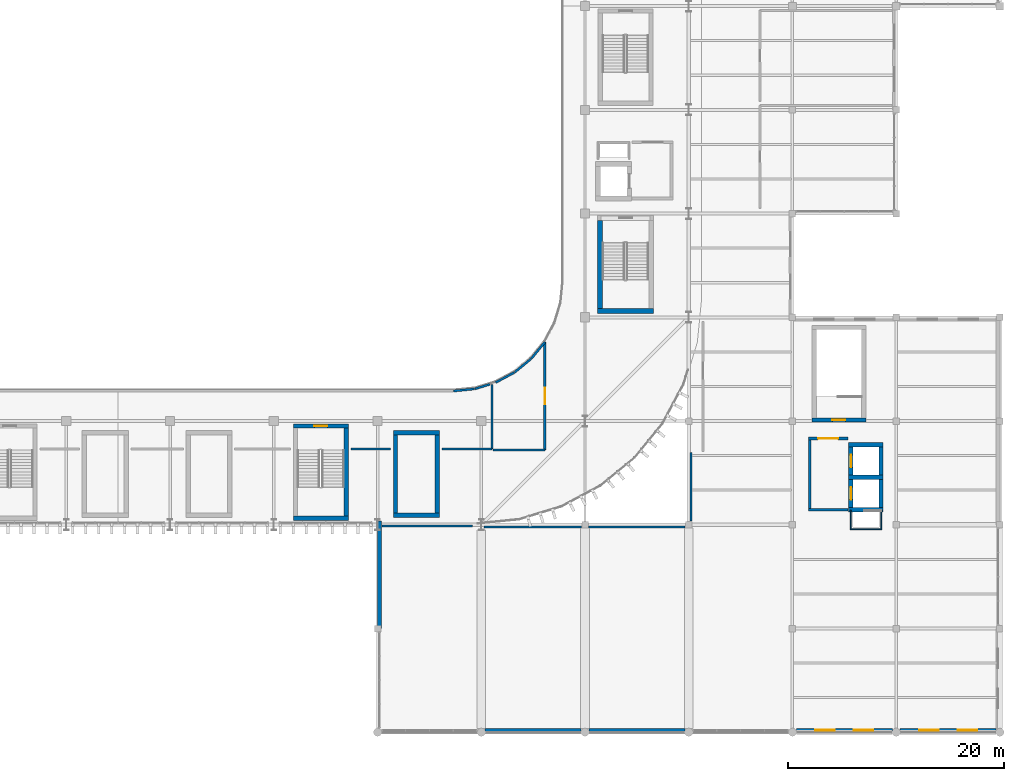
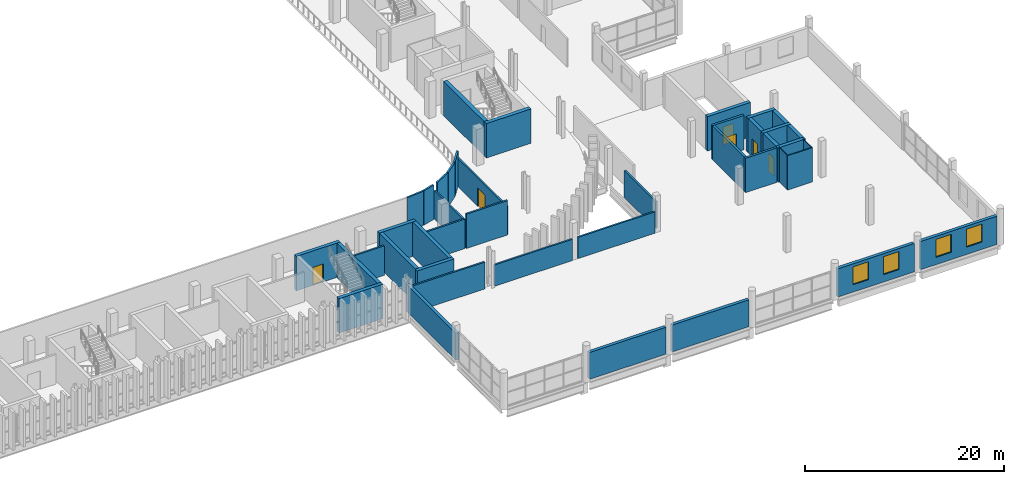
# One storey, part 60 of 92: 42 walls, 6 doors, 4 windows, 10 openings.
"""IFC4 building model written with IfcOpenShell, lengths in metres."""

import ifcopenshell
import ifcopenshell.guid

model = None  # the IFC model being written
_history = None  # IfcOwnerHistory: only IFC2X3 demands one
_inside = {}  # id of a spatial element -> (the spatial element, [elements in it])
_under = {}  # id of a project, library or spatial element -> (it, [spatial elements below it])
_declared = {}  # id of a project -> (the project, [libraries it declares])
_typed = {}  # id of a type object -> (the type object, [elements of that type])
_made_of = {}  # id of a material, layer set ... -> (it, [elements and type objects made of it])


def new_model(schema):
    """Start an empty IFC model of exactly this schema.

    Asked for "IFC4X3", IfcOpenShell would pick the latest addendum, in which some entities
    have other attributes; the version numbers below select the first issue.
    IFC2X3 requires an IfcOwnerHistory on every rooted entity: one is made here for all.
    """
    global model, _history
    if schema == "IFC4X3":
        model = ifcopenshell.file(schema_version=(4, 3, 0, 0))
    else:
        model = ifcopenshell.file(schema=schema)
    _inside.clear()
    _under.clear()
    _declared.clear()
    _typed.clear()
    _made_of.clear()
    _history = None
    if model.schema == "IFC2X3":
        org = make("IfcOrganization", Name="unknown")
        user = make(
            "IfcPersonAndOrganization",
            ThePerson=make("IfcPerson", FamilyName="unknown"),
            TheOrganization=org,
        )
        app = make(
            "IfcApplication",
            ApplicationDeveloper=org,
            Version="unknown",
            ApplicationFullName="unknown",
            ApplicationIdentifier="unknown",
        )
        _history = make(
            "IfcOwnerHistory",
            OwningUser=user,
            OwningApplication=app,
            ChangeAction="ADDED",
            CreationDate=0,
        )
    return model


def make(cls, **values):
    """One entity of the class cls with the attributes given. An attribute that is None is left unset."""
    return model.create_entity(
        cls, **{name: value for name, value in values.items() if value is not None}
    )


def rooted(cls, **values):
    """An entity with a GlobalId (a new one), such as an element, a storey or a relation."""
    return make(cls, GlobalId=ifcopenshell.guid.new(), OwnerHistory=_history, **values)


def si_unit(unit_type, name, prefix=None):
    """IfcSIUnit, for example si_unit("LENGTHUNIT", "METRE", prefix="MILLI")."""
    return make("IfcSIUnit", UnitType=unit_type, Prefix=prefix, Name=name)


def assignment(units):
    """IfcUnitAssignment: the units of a project."""
    return None if units is None else make("IfcUnitAssignment", Units=units)


def point(xyz):
    """IfcCartesianPoint."""
    return None if xyz is None else make("IfcCartesianPoint", Coordinates=xyz)


def direction(xyz):
    """IfcDirection."""
    return None if xyz is None else make("IfcDirection", DirectionRatios=xyz)


def frame(location, z_axis=None, x_axis=None):
    """IfcAxis2Placement3D, a coordinate frame: its origin and axes. An axis left out is left unset."""
    return make(
        "IfcAxis2Placement3D",
        Location=point(location),
        Axis=direction(z_axis),
        RefDirection=direction(x_axis),
    )


def frame_2d(location, x_axis=None):
    """IfcAxis2Placement2D, a coordinate frame in the plane: its origin and x axis."""
    return make(
        "IfcAxis2Placement2D", Location=point(location), RefDirection=direction(x_axis)
    )


def origin():
    """The frame at (0, 0, 0) with its axes left unset."""
    return frame((0.0, 0.0, 0.0))


def place(relative_to, where):
    """IfcLocalPlacement: puts the frame where relative to a parent placement (None: the world)."""
    return make(
        "IfcLocalPlacement", PlacementRelTo=relative_to, RelativePlacement=where
    )


def context(
    kind, dimensions, precision=None, world=None, true_north=None, identifier=None
):
    """IfcGeometricRepresentationContext, for example the 3D "Model" context."""
    return make(
        "IfcGeometricRepresentationContext",
        ContextIdentifier=identifier,
        ContextType=kind,
        CoordinateSpaceDimension=dimensions,
        Precision=precision,
        WorldCoordinateSystem=world,
        TrueNorth=true_north,
    )


def subcontext(parent, identifier, kind, view, scale=None):
    """IfcGeometricRepresentationSubContext, for example "Body" below "Model"."""
    return make(
        "IfcGeometricRepresentationSubContext",
        ContextIdentifier=identifier,
        ContextType=kind,
        ParentContext=parent,
        TargetScale=scale,
        TargetView=view,
    )


def project(units=None, contexts=None):
    """IfcProject with its units and contexts."""
    return rooted(
        "IfcProject",
        Name="project",
        RepresentationContexts=contexts,
        UnitsInContext=assignment(units),
    )


def spatial(cls, under=None, at=None, **own):
    """A site, building, storey or space (cls), placed at a placement, below another one or the project."""
    s = rooted(cls, ObjectPlacement=at, **own)
    if under is not None:
        _under.setdefault(under.id(), (under, []))[1].append(s)
    return s


def profile(cls, at=None, kind="AREA", **sizes):
    """A parametric profile (cls). Its sizes go by their IFC names, for example OverallWidth=200.0."""
    return make(cls, ProfileType=kind, Position=at, **sizes)


def rectangle(**sizes):
    """IfcRectangleProfileDef."""
    return profile("IfcRectangleProfileDef", **sizes)


def extrude(swept, where, along, depth):
    """IfcExtrudedAreaSolid: the profile swept, set in the frame where, extruded along a direction by depth."""
    return make(
        "IfcExtrudedAreaSolid",
        SweptArea=swept,
        Position=where,
        ExtrudedDirection=direction(along),
        Depth=depth,
    )


def shape(context_of_items, identifier, shape_type, items):
    """IfcShapeRepresentation: the items that make up one representation, for example the "Body"."""
    return make(
        "IfcShapeRepresentation",
        ContextOfItems=context_of_items,
        RepresentationIdentifier=identifier,
        RepresentationType=shape_type,
        Items=items,
    )


def material(Name=None, Category=None):
    """IfcMaterial."""
    return make("IfcMaterial", Name=Name, Category=Category)


def layer(
    of_material, thickness, ventilated=None, Name=None, Category=None, Priority=None
):
    """IfcMaterialLayer: one layer of a wall or slab, of a material (None: an air gap)."""
    return make(
        "IfcMaterialLayer",
        Material=of_material,
        LayerThickness=thickness,
        IsVentilated=ventilated,
        Name=Name,
        Category=Category,
        Priority=Priority,
    )


def layer_set(layers, Name=None):
    """IfcMaterialLayerSet."""
    return make("IfcMaterialLayerSet", MaterialLayers=layers, LayerSetName=Name)


def made_of(thing, what):
    """Note that an element or type object is made of a material, layer set ...; save() writes the relation."""
    if what is not None:
        _made_of.setdefault(what.id(), (what, []))[1].append(thing)
    return thing


def type_object(cls, material=None, **own):
    """A type object (cls), such as IfcWallType, which elements share."""
    return made_of(rooted(cls, **own), material)


def element(
    cls,
    number,
    at=None,
    inside=None,
    cuts=None,
    type_object=None,
    material=None,
    context=None,
    identifier="Body",
    shape_type=None,
    held_by="IfcProductDefinitionShape",
    body=None,
    shapes=None,
    **own,
):
    """One element of the class cls, such as IfcWall. Its Tag is "e" and its number.

    at: its placement. inside: the storey or other place that contains it. cuts: it is an
    opening in that element (IfcRelVoidsElement). A single representation is given by context,
    identifier, shape_type and body (its items); several are given by shapes. held_by: the class
    of the entity that holds the representations. save() writes the other relations.
    """
    e = rooted(cls, Tag="e%d" % number, ObjectPlacement=at, **own)
    if body is not None:
        shapes = [shape(context, identifier, shape_type, body)]
    if shapes is not None:
        e.Representation = make(held_by, Representations=shapes)
    if inside is not None:
        _inside.setdefault(inside.id(), (inside, []))[1].append(e)
    if cuts is not None:
        rooted(
            "IfcRelVoidsElement", RelatingBuildingElement=cuts, RelatedOpeningElement=e
        )
    if type_object is not None:
        _typed.setdefault(type_object.id(), (type_object, []))[1].append(e)
    return made_of(e, material)


def fill(opening, filler):
    """IfcRelFillsElement: the door or window that sits in an opening."""
    return rooted(
        "IfcRelFillsElement",
        RelatingOpeningElement=opening,
        RelatedBuildingElement=filler,
    )


def aggregate(whole, parts):
    """IfcRelAggregates: a whole, such as a stair, and the parts it consists of."""
    return rooted("IfcRelAggregates", RelatingObject=whole, RelatedObjects=parts)


def save(model, path):
    """Write the relations noted so far, then the file.

    IfcRelAggregates (storeys below a building ...), IfcRelContainedInSpatialStructure (elements
    in a storey), IfcRelDefinesByType, IfcRelAssociatesMaterial and IfcRelDeclares: one each for
    every whole, place, type object, material and project.
    """
    for whole, parts in _under.values():
        aggregate(whole, parts)
    for where, things in _inside.values():
        rooted(
            "IfcRelContainedInSpatialStructure",
            RelatedElements=things,
            RelatingStructure=where,
        )
    for kind, things in _typed.values():
        rooted("IfcRelDefinesByType", RelatedObjects=things, RelatingType=kind)
    for what, things in _made_of.values():
        rooted("IfcRelAssociatesMaterial", RelatedObjects=things, RelatingMaterial=what)
    for by, libraries in _declared.values():
        rooted("IfcRelDeclares", RelatingContext=by, RelatedDefinitions=libraries)
    model.write(path)


model = new_model("IFC4")

# Units and contexts
model_context = context("Model", 3, precision=1e-05, world=origin(), true_north=direction((0.0, 1.0)))
body_context = subcontext(model_context, "Body", "Model", "MODEL_VIEW")
ifc_project = project(units=[si_unit("LENGTHUNIT", "METRE"), si_unit("AREAUNIT", "SQUARE_METRE"), si_unit("VOLUMEUNIT", "CUBIC_METRE"), si_unit("PLANEANGLEUNIT", "RADIAN"), si_unit("MASSUNIT", "GRAM", prefix="KILO")], contexts=[model_context])

# Site, building, storey
site_placement = place(None, origin())
site = spatial("IfcSite", under=ifc_project, at=site_placement, CompositionType="ELEMENT")
building_placement = place(site_placement, origin())
building = spatial("IfcBuilding", under=site, at=building_placement, Name="Caelomonte Colonnade Arena", CompositionType="ELEMENT")
storey_placement = place(building_placement, frame((0.0, 0.0, 9.60009765625)))
storey = spatial("IfcBuildingStorey", under=building, at=storey_placement, Name="L02", CompositionType="ELEMENT", Elevation=9.60009765625)

# Walls
ifc_material_1 = material(Name="Precast concrete C40/50", Category="concrete")
ifc_layer_1 = layer(ifc_material_1, 0.360107421875)
ifc_layer_set_1 = layer_set([ifc_layer_1], Name="Precast concrete C40/50")
wall_type_1 = type_object("IfcWallType", Name="ENV-WL-EXT36", PredefinedType="SOLIDWALL", material=ifc_layer_set_1)
wall_1_placement = place(storey_placement, frame((134.580078125, 19.550048828125, 0.0), z_axis=(0.0, 0.0, 1.0), x_axis=(0.0, -1.0, 0.0)))
element("IfcWall", 1, at=wall_1_placement, inside=storey, type_object=wall_type_1, Name="L02 exterior wall EW-L02-0240", PredefinedType="SOLIDWALL", context=body_context, shape_type="SweptSolid", body=[
    extrude(rectangle(XDim=9.949951171875, YDim=0.360107421875, at=frame_2d((4.97509765625, 0.0))), origin(), (0.0, 0.0, 1.0), 3.29296875),
])
wall_2_placement = place(storey_placement, frame((144.35498046875, 0.179931640625, 0.0), z_axis=(0.0, 0.0, 1.0), x_axis=(1.0, 0.0, 0.0)))
element("IfcWall", 2, at=wall_2_placement, inside=storey, type_object=wall_type_1, Name="L02 exterior wall EW-L02-0241", PredefinedType="SOLIDWALL", context=body_context, shape_type="SweptSolid", body=[
    extrude(rectangle(XDim=8.89013671875, YDim=0.360107421875, at=frame_2d((4.445068359375, 0.0))), origin(), (0.0, 0.0, 1.0), 3.29296875),
])
wall_3_placement = place(storey_placement, frame((153.955078125, 0.179931640625, 0.0), z_axis=(0.0, 0.0, 1.0), x_axis=(1.0, 0.0, 0.0)))
element("IfcWall", 3, at=wall_3_placement, inside=storey, type_object=wall_type_1, Name="L02 exterior wall EW-L02-0242", PredefinedType="SOLIDWALL", context=body_context, shape_type="SweptSolid", body=[
    extrude(rectangle(XDim=8.889892578125, YDim=0.360107421875, at=frame_2d((4.44482421875, 0.0))), origin(), (0.0, 0.0, 1.0), 3.29296875),
])

# Wall, openings, windows
wall_4_placement = place(storey_placement, frame((173.155029296875, 0.179931640625, 0.0), z_axis=(0.0, 0.0, 1.0), x_axis=(1.0, 0.0, 0.0)))
wall_4 = element("IfcWall", 4, at=wall_4_placement, inside=storey, type_object=wall_type_1, Name="L02 exterior wall EW-L02-0243", PredefinedType="SOLIDWALL", context=body_context, shape_type="SweptSolid", body=[
    extrude(rectangle(XDim=8.889892578125, YDim=0.360107421875, at=frame_2d((4.44482421875, 0.0))), origin(), (0.0, 0.0, 1.0), 3.469970703125),
])
opening_1_placement = place(wall_4_placement, frame((3.563232421875, 0.0, 0.89990234375), z_axis=(0.0, 0.0, 1.0), x_axis=(-1.0, 0.0, 0.0)))
opening_1 = element("IfcOpeningElement", 5, at=opening_1_placement, cuts=wall_4, Name="Opening WN-03", PredefinedType="OPENING", context=body_context, shape_type="SweptSolid", body=[
    extrude(rectangle(XDim=1.800048828125, YDim=2.199951171875, at=frame_2d((0.89990234375, 1.10009765625))), frame((0.0, 0.18994140625, 0.0), z_axis=(0.0, -1.0, 0.0), x_axis=(1.0, 0.0, 0.0)), (0.0, 0.0, 1.0), 0.380126953125),
])
opening_2_placement = place(wall_4_placement, frame((7.126708984375, 0.0, 0.89990234375), z_axis=(0.0, 0.0, 1.0), x_axis=(-1.0, 0.0, 0.0)))
opening_2 = element("IfcOpeningElement", 6, at=opening_2_placement, cuts=wall_4, Name="Opening WN-03", PredefinedType="OPENING", context=body_context, shape_type="SweptSolid", body=[
    extrude(rectangle(XDim=1.800048828125, YDim=2.199951171875, at=frame_2d((0.89990234375, 1.10009765625))), frame((0.0, 0.18994140625, 0.0), z_axis=(0.0, -1.0, 0.0), x_axis=(1.0, 0.0, 0.0)), (0.0, 0.0, 1.0), 0.380126953125),
])
ifc_material_2 = material(Name="Solar-control bronze low-E double glazing", Category="glass")
window_type = type_object("IfcWindowType", Name="ENV-WN-V3C", PartitioningType="DOUBLE_PANEL_VERTICAL", PredefinedType="WINDOW", material=ifc_material_2)
window_1_placement = place(opening_1_placement, origin())
window_1 = element("IfcWindow", 7, at=window_1_placement, inside=storey, type_object=window_type, Name="L02 facade window 156", OverallHeight=2.199951171875, OverallWidth=1.800048828125, PartitioningType="SINGLE_PANEL", PredefinedType="WINDOW", context=body_context, shape_type="SweptSolid", body=[
    extrude(rectangle(XDim=1.800048828125, YDim=2.199951171875, at=frame_2d((0.89990234375, 1.10009765625))), frame((0.0, 0.030029296875, 0.0), z_axis=(0.0, -1.0, 0.0), x_axis=(1.0, 0.0, 0.0)), (0.0, 0.0, 1.0), 0.06005859375),
])
fill(opening_1, window_1)
window_2_placement = place(opening_2_placement, origin())
window_2 = element("IfcWindow", 8, at=window_2_placement, inside=storey, type_object=window_type, Name="L02 facade window 157", OverallHeight=2.199951171875, OverallWidth=1.800048828125, PartitioningType="SINGLE_PANEL", PredefinedType="WINDOW", context=body_context, shape_type="SweptSolid", body=[
    extrude(rectangle(XDim=1.800048828125, YDim=2.199951171875, at=frame_2d((0.89990234375, 1.10009765625))), frame((0.0, 0.030029296875, 0.0), z_axis=(0.0, -1.0, 0.0), x_axis=(1.0, 0.0, 0.0)), (0.0, 0.0, 1.0), 0.06005859375),
])
fill(opening_2, window_2)

wall_5_placement = place(storey_placement, frame((182.7548828125, 0.179931640625, 0.0), z_axis=(0.0, 0.0, 1.0), x_axis=(1.0, 0.0, 0.0)))
wall_5 = element("IfcWall", 9, at=wall_5_placement, inside=storey, type_object=wall_type_1, Name="L02 exterior wall EW-L02-0244", PredefinedType="SOLIDWALL", context=body_context, shape_type="SweptSolid", body=[
    extrude(rectangle(XDim=8.89013671875, YDim=0.360107421875, at=frame_2d((4.445068359375, 0.0))), origin(), (0.0, 0.0, 1.0), 3.469970703125),
])
opening_3_placement = place(wall_5_placement, frame((3.563232421875, 0.0, 0.89990234375), z_axis=(0.0, 0.0, 1.0), x_axis=(-1.0, 0.0, 0.0)))
opening_3 = element("IfcOpeningElement", 10, at=opening_3_placement, cuts=wall_5, Name="Opening WN-03", PredefinedType="OPENING", context=body_context, shape_type="SweptSolid", body=[
    extrude(rectangle(XDim=1.800048828125, YDim=2.199951171875, at=frame_2d((0.89990234375, 1.10009765625))), frame((0.0, 0.18994140625, 0.0), z_axis=(0.0, -1.0, 0.0), x_axis=(1.0, 0.0, 0.0)), (0.0, 0.0, 1.0), 0.380126953125),
])
opening_4_placement = place(wall_5_placement, frame((7.126708984375, 0.0, 0.89990234375), z_axis=(0.0, 0.0, 1.0), x_axis=(-1.0, 0.0, 0.0)))
opening_4 = element("IfcOpeningElement", 11, at=opening_4_placement, cuts=wall_5, Name="Opening WN-03", PredefinedType="OPENING", context=body_context, shape_type="SweptSolid", body=[
    extrude(rectangle(XDim=1.800048828125, YDim=2.199951171875, at=frame_2d((0.89990234375, 1.10009765625))), frame((0.0, 0.18994140625, 0.0), z_axis=(0.0, -1.0, 0.0), x_axis=(1.0, 0.0, 0.0)), (0.0, 0.0, 1.0), 0.380126953125),
])
window_3_placement = place(opening_3_placement, origin())
window_3 = element("IfcWindow", 12, at=window_3_placement, inside=storey, type_object=window_type, Name="L02 facade window 158", OverallHeight=2.199951171875, OverallWidth=1.800048828125, PartitioningType="SINGLE_PANEL", PredefinedType="WINDOW", context=body_context, shape_type="SweptSolid", body=[
    extrude(rectangle(XDim=1.800048828125, YDim=2.199951171875, at=frame_2d((0.89990234375, 1.10009765625))), frame((0.0, 0.030029296875, 0.0), z_axis=(0.0, -1.0, 0.0), x_axis=(1.0, 0.0, 0.0)), (0.0, 0.0, 1.0), 0.06005859375),
])
fill(opening_3, window_3)
window_4_placement = place(opening_4_placement, origin())
window_4 = element("IfcWindow", 13, at=window_4_placement, inside=storey, type_object=window_type, Name="L02 facade window 159", OverallHeight=2.199951171875, OverallWidth=1.800048828125, PartitioningType="SINGLE_PANEL", PredefinedType="WINDOW", context=body_context, shape_type="SweptSolid", body=[
    extrude(rectangle(XDim=1.800048828125, YDim=2.199951171875, at=frame_2d((0.89990234375, 1.10009765625))), frame((0.0, 0.030029296875, 0.0), z_axis=(0.0, -1.0, 0.0), x_axis=(1.0, 0.0, 0.0)), (0.0, 0.0, 1.0), 0.06005859375),
])
fill(opening_4, window_4)

# Wall
ifc_material_3 = material(Name="Concrete C40/50", Category="concrete")
ifc_layer_2 = layer(ifc_material_3, 0.260009765625)
ifc_layer_set_2 = layer_set([ifc_layer_2], Name="Concrete C40/50")
wall_type_2 = type_object("IfcWallType", Name="INT-WL-FW26", PredefinedType="SOLIDWALL", material=ifc_layer_set_2)
wall_6_placement = place(storey_placement, frame((174.27001953125, 20.60009765625, 0.0), z_axis=(0.0, 0.0, 1.0), x_axis=(1.0, 0.0, 0.0)))
element("IfcWall", 14, at=wall_6_placement, inside=storey, type_object=wall_type_2, Name="FW-C5-LB L02 south enclosure wall", PredefinedType="SOLIDWALL", context=body_context, shape_type="SweptSolid", body=[
    extrude(rectangle(XDim=3.659912109375, YDim=0.260009765625, at=frame_2d((1.830078125, 0.0))), origin(), (0.0, 0.0, 1.0), 4.219970703125),
])

# Wall, opening, door
wall_7_placement = place(storey_placement, frame((177.929931640625, 27.199951171875, 0.0), z_axis=(0.0, 0.0, 1.0), x_axis=(-1.0, 0.0, 0.0)))
wall_7 = element("IfcWall", 15, at=wall_7_placement, inside=storey, type_object=wall_type_2, Name="FW-C5-LB L02 north enclosure wall", PredefinedType="SOLIDWALL", context=body_context, shape_type="SweptSolid", body=[
    extrude(rectangle(XDim=3.659912109375, YDim=0.260009765625, at=frame_2d((1.830078125, 0.0))), origin(), (0.0, 0.0, 1.0), 4.219970703125),
])
opening_5_placement = place(wall_7_placement, frame((2.755126953125, 0.0, 0.0), z_axis=(0.0, 0.0, 1.0), x_axis=(-1.0, 0.0, 0.0)))
opening_5 = element("IfcOpeningElement", 16, at=opening_5_placement, cuts=wall_7, Name="Opening FD-2", PredefinedType="OPENING", context=body_context, shape_type="SweptSolid", body=[
    extrude(rectangle(XDim=1.85009765625, YDim=2.25, at=frame_2d((0.925048828125, 1.125))), frame((0.0, 0.139892578125, 0.0), z_axis=(0.0, -1.0, 0.0), x_axis=(1.0, 0.0, 0.0)), (0.0, 0.0, 1.0), 0.280029296875),
])
ifc_material_4 = material(Name="Fire-rated double steel door", Category="steel")
door_type_1 = type_object("IfcDoorType", Name="INT-DR-FD90B", OperationType="DOUBLE_DOOR_SINGLE_SWING", PredefinedType="DOOR", material=ifc_material_4)
door_1_placement = place(opening_5_placement, origin())
door_1 = element("IfcDoor", 17, at=door_1_placement, inside=storey, type_object=door_type_1, Name="Core C5 L02 lobby fire door", OperationType="DOUBLE_DOOR_SINGLE_SWING", OverallHeight=2.25, OverallWidth=1.85009765625, PredefinedType="DOOR", context=body_context, shape_type="SweptSolid", body=[
    extrude(rectangle(XDim=1.85009765625, YDim=2.25, at=frame_2d((0.925048828125, 1.125))), frame((0.0, 0.02490234375, 0.0), z_axis=(0.0, -1.0, 0.0), x_axis=(1.0, 0.0, 0.0)), (0.0, 0.0, 1.0), 0.050048828125),
])
fill(opening_5, door_1)

# Walls
wall_8_placement = place(storey_placement, frame((174.39990234375, 27.070068359375, 0.0), z_axis=(0.0, 0.0, 1.0), x_axis=(0.0, -1.0, 0.0)))
element("IfcWall", 18, at=wall_8_placement, inside=storey, type_object=wall_type_2, Name="FW-C5-LB L02 west enclosure wall", PredefinedType="SOLIDWALL", context=body_context, shape_type="SweptSolid", body=[
    extrude(rectangle(XDim=6.340087890625, YDim=0.260009765625, at=frame_2d((3.169921875, 0.0))), origin(), (0.0, 0.0, 1.0), 4.219970703125),
])
ifc_material_5 = material(Name="Service shaft lining partition")
ifc_layer_3 = layer(ifc_material_5, 0.10009765625)
ifc_layer_set_3 = layer_set([ifc_layer_3], Name="Service shaft lining partition")
wall_type_3 = type_object("IfcWallType", Name="INT-WL-PT10", PredefinedType="PARTITIONING", material=ifc_layer_set_3)
wall_9_placement = place(storey_placement, frame((178.14990234375, 18.800048828125, 0.0), z_axis=(0.0, 0.0, 1.0), x_axis=(1.0, 0.0, 0.0)))
element("IfcWall", 19, at=wall_9_placement, inside=storey, type_object=wall_type_3, Name="FW-C5-RS L02 south enclosure wall", PredefinedType="PARTITIONING", context=body_context, shape_type="SweptSolid", body=[
    extrude(rectangle(XDim=2.900146484375, YDim=0.10009765625, at=frame_2d((1.4501953125, 0.0))), origin(), (0.0, 0.0, 1.0), 4.219970703125),
])
for number, where, z_axis, x_axis, name in (
    (20, (178.199951171875, 20.550048828125, 0.0), (0.0, 0.0, 1.0), (0.0, -1.0, 0.0), "FW-C5-RS L02 west enclosure wall"),
    (21, (181.0, 18.85009765625, 0.0), (0.0, 0.0, 1.0), (0.0, 1.0, 0.0), "FW-C5-RS L02 east enclosure wall"),
):
    element("IfcWall", number, at=place(storey_placement, frame(where, z_axis=z_axis, x_axis=x_axis)), inside=storey, type_object=wall_type_3, Name=name, PredefinedType="PARTITIONING", context=body_context, shape_type="SweptSolid", body=[
        extrude(rectangle(XDim=1.699951171875, YDim=0.10009765625, at=frame_2d((0.85009765625, 0.0))), origin(), (0.0, 0.0, 1.0), 4.219970703125),
    ])
ifc_material_6 = material(Name="Fire-rated gypsum stud partition")
ifc_layer_4 = layer(ifc_material_6, 0.199951171875)
ifc_layer_set_4 = layer_set([ifc_layer_4], Name="Fire-rated gypsum stud partition")
wall_type_4 = type_object("IfcWallType", Name="INT-WL-PT20", PredefinedType="PARTITIONING", material=ifc_layer_set_4)
wall_10_placement = place(storey_placement, frame((141.421630859375, 31.5810546875, 0.0), z_axis=(0.0, 0.0, 1.0), x_axis=(0.995185270943, 0.098011614095, 0.0)))
element("IfcWall", 22, at=wall_10_placement, inside=storey, type_object=wall_type_4, Name="L02 Club Lounge South partition 146", PredefinedType="PARTITIONING", context=body_context, shape_type="SweptSolid", body=[
    extrude(rectangle(XDim=1.96044921875, YDim=0.199951171875, at=frame_2d((0.980224609375, 0.0))), origin(), (0.0, 0.0, 1.0), 4.219970703125),
])
wall_11_placement = place(storey_placement, frame((143.414794921875, 31.781494140625, 0.0), z_axis=(0.0, 0.0, 1.0), x_axis=(0.956921766266, 0.290345885534, 0.0)))
element("IfcWall", 23, at=wall_11_placement, inside=storey, type_object=wall_type_4, Name="L02 Club Lounge South partition 147", PredefinedType="PARTITIONING", context=body_context, shape_type="SweptSolid", body=[
    extrude(rectangle(XDim=1.441162109375, YDim=0.199951171875, at=frame_2d((0.720703125, 0.0))), origin(), (0.0, 0.0, 1.0), 4.219970703125),
])
wall_12_placement = place(storey_placement, frame((145.0, 32.199951171875, 0.0), z_axis=(0.0, 0.0, 1.0), x_axis=(0.0, -1.0, 0.0)))
element("IfcWall", 24, at=wall_12_placement, inside=storey, type_object=wall_type_4, Name="L02 Club Lounge South partition 148", PredefinedType="PARTITIONING", context=body_context, shape_type="SweptSolid", body=[
    extrude(rectangle(XDim=6.0, YDim=0.199951171875, at=frame_2d((3.0, 0.0))), origin(), (0.0, 0.0, 1.0), 3.465576171875),
])
wall_13_placement = place(storey_placement, frame((145.0, 26.199951171875, 0.0), z_axis=(0.0, 0.0, 1.0), x_axis=(-1.0, 0.0, 0.0)))
element("IfcWall", 25, at=wall_13_placement, inside=storey, type_object=wall_type_4, Name="L02 Club Lounge South partition 149", PredefinedType="PARTITIONING", context=body_context, shape_type="SweptSolid", body=[
    extrude(rectangle(XDim=4.6201171875, YDim=0.199951171875, at=frame_2d((2.31005859375, 0.0))), origin(), (0.0, 0.0, 1.0), 3.61279296875),
])
wall_14_placement = place(storey_placement, frame((135.6201171875, 26.199951171875, 0.0), z_axis=(0.0, 0.0, 1.0), x_axis=(-1.0, 0.0, 0.0)))
element("IfcWall", 26, at=wall_14_placement, inside=storey, type_object=wall_type_4, Name="L02 Club Lounge South partition 150", PredefinedType="PARTITIONING", context=body_context, shape_type="SweptSolid", body=[
    extrude(rectangle(XDim=3.670166015625, YDim=0.199951171875, at=frame_2d((1.8349609375, 0.0))), origin(), (0.0, 0.0, 1.0), 3.61279296875),
])
wall_15_placement = place(storey_placement, frame((134.800048828125, 19.080078125, 0.0), z_axis=(0.0, 0.0, 1.0), x_axis=(1.0, 0.0, 0.0)))
element("IfcWall", 27, at=wall_15_placement, inside=storey, type_object=wall_type_4, Name="L02 Exhibition Hall partition 174", PredefinedType="PARTITIONING", context=body_context, shape_type="SweptSolid", body=[
    extrude(rectangle(XDim=8.3798828125, YDim=0.199951171875, at=frame_2d((4.18994140625, 0.0))), origin(), (0.0, 0.0, 1.0), 3.29296875),
])
wall_16_placement = place(storey_placement, frame((144.24462890625, 18.97998046875, 0.0), z_axis=(0.0, 0.0, 1.0), x_axis=(1.0, 0.0, 0.0)))
element("IfcWall", 28, at=wall_16_placement, inside=storey, type_object=wall_type_4, Name="L02 Exhibition Hall partition 175", PredefinedType="PARTITIONING", context=body_context, shape_type="SweptSolid", body=[
    extrude(rectangle(XDim=9.020263671875, YDim=0.199951171875, at=frame_2d((4.51025390625, 0.0))), origin(), (0.0, 0.0, 1.0), 2.619873046875),
])
wall_17_placement = place(storey_placement, frame((153.93505859375, 18.97998046875, 0.0), z_axis=(0.0, 0.0, 1.0), x_axis=(1.0, 0.0, 0.0)))
element("IfcWall", 29, at=wall_17_placement, inside=storey, type_object=wall_type_4, Name="L02 Exhibition Hall partition 176", PredefinedType="PARTITIONING", context=body_context, shape_type="SweptSolid", body=[
    extrude(rectangle(XDim=8.929931640625, YDim=0.199951171875, at=frame_2d((4.46484375, 0.0))), origin(), (0.0, 0.0, 1.0), 2.619873046875),
])
wall_18_placement = place(storey_placement, frame((163.419921875, 19.534912109375, 0.0), z_axis=(0.0, 0.0, 1.0), x_axis=(0.0, 1.0, 0.0)))
element("IfcWall", 30, at=wall_18_placement, inside=storey, type_object=wall_type_4, Name="L02 Exhibition Hall partition 177", PredefinedType="PARTITIONING", context=body_context, shape_type="SweptSolid", body=[
    extrude(rectangle(XDim=6.344970703125, YDim=0.199951171875, at=frame_2d((3.17236328125, 0.0))), origin(), (0.0, 0.0, 1.0), 3.29296875),
])
wall_19_placement = place(storey_placement, frame((145.33056640625, 32.3671875, 0.0), z_axis=(0.0, 0.0, 1.0), x_axis=(0.881914706722, 0.471409005076, 0.0)))
element("IfcWall", 31, at=wall_19_placement, inside=storey, type_object=wall_type_4, Name="L02 Exhibition Hall partition 179", PredefinedType="PARTITIONING", context=body_context, shape_type="SweptSolid", body=[
    extrude(rectangle(XDim=1.960205078125, YDim=0.199951171875, at=frame_2d((0.97998046875, 0.0))), origin(), (0.0, 0.0, 1.0), 4.219970703125),
])
wall_20_placement = place(storey_placement, frame((147.09521484375, 33.315185546875, 0.0), z_axis=(0.0, 0.0, 1.0), x_axis=(0.773007598499, 0.634396762809, 0.0)))
element("IfcWall", 32, at=wall_20_placement, inside=storey, type_object=wall_type_4, Name="L02 Exhibition Hall partition 180", PredefinedType="PARTITIONING", context=body_context, shape_type="SweptSolid", body=[
    extrude(rectangle(XDim=1.96044921875, YDim=0.199951171875, at=frame_2d((0.980224609375, 0.0))), origin(), (0.0, 0.0, 1.0), 4.219970703125),
])
wall_21_placement = place(storey_placement, frame((148.64111328125, 34.58935546875, 0.0), z_axis=(0.0, 0.0, 1.0), x_axis=(0.634374086786, 0.773026207844, 0.0)))
element("IfcWall", 33, at=wall_21_placement, inside=storey, type_object=wall_type_4, Name="L02 Exhibition Hall partition 181", PredefinedType="PARTITIONING", context=body_context, shape_type="SweptSolid", body=[
    extrude(rectangle(XDim=1.95263671875, YDim=0.199951171875, at=frame_2d((0.976318359375, 0.0))), origin(), (0.0, 0.0, 1.0), 4.219970703125),
])

# Wall, opening, door
wall_22_placement = place(storey_placement, frame((149.8798828125, 36.098876953125, 0.0), z_axis=(0.0, 0.0, 1.0), x_axis=(0.0, -1.0, 0.0)))
wall_22 = element("IfcWall", 34, at=wall_22_placement, inside=storey, type_object=wall_type_4, Name="L02 Exhibition Hall partition 182", PredefinedType="PARTITIONING", context=body_context, shape_type="SweptSolid", body=[
    extrude(rectangle(XDim=9.978759765625, YDim=0.199951171875, at=frame_2d((4.9892578125, 0.0))), origin(), (0.0, 0.0, 1.0), 3.465576171875),
])
opening_6_placement = place(wall_22_placement, frame((4.239501953125, 0.0, 0.0), z_axis=(0.0, 0.0, 1.0), x_axis=(1.0, 0.0, 0.0)))
opening_6 = element("IfcOpeningElement", 35, at=opening_6_placement, cuts=wall_22, Name="Opening D-L02-052", PredefinedType="OPENING", context=body_context, shape_type="SweptSolid", body=[
    extrude(rectangle(XDim=1.5, YDim=2.25, at=frame_2d((0.75, 1.125))), frame((0.0, 0.10986328125, 0.0), z_axis=(0.0, -1.0, 0.0), x_axis=(1.0, 0.0, 0.0)), (0.0, 0.0, 1.0), 0.219970703125),
])
ifc_material_7 = material(Name="Hardwood double club lounge door", Category="wood")
door_type_2 = type_object("IfcDoorType", Name="INT-DR-SU2", OperationType="DOUBLE_DOOR_SINGLE_SWING", PredefinedType="DOOR", material=ifc_material_7)
door_2_placement = place(opening_6_placement, origin())
door_2 = element("IfcDoor", 36, at=door_2_placement, inside=storey, type_object=door_type_2, Name="L02 Exhibition Hall door D-L02-052", OperationType="DOUBLE_DOOR_SINGLE_SWING", OverallHeight=2.25, OverallWidth=1.5, PredefinedType="DOOR", context=body_context, shape_type="SweptSolid", body=[
    extrude(rectangle(XDim=1.5, YDim=2.25, at=frame_2d((0.75, 1.125))), frame((0.0, 0.02490234375, 0.0), z_axis=(0.0, -1.0, 0.0), x_axis=(1.0, 0.0, 0.0)), (0.0, 0.0, 1.0), 0.050048828125),
])
fill(opening_6, door_2)

# Wall
wall_23_placement = place(storey_placement, frame((149.8798828125, 26.1201171875, 0.0), z_axis=(0.0, 0.0, 1.0), x_axis=(-1.0, 0.0, 0.0)))
element("IfcWall", 37, at=wall_23_placement, inside=storey, type_object=wall_type_4, Name="L02 Exhibition Hall partition 183", PredefinedType="PARTITIONING", context=body_context, shape_type="SweptSolid", body=[
    extrude(rectangle(XDim=4.79052734375, YDim=0.199951171875, at=frame_2d((2.395263671875, 0.0))), origin(), (0.0, 0.0, 1.0), 4.219970703125),
])

# Wall, opening, door
ifc_material_8 = material(Name="Concrete C50/60", Category="concrete")
ifc_layer_5 = layer(ifc_material_8, 0.39990234375)
ifc_layer_set_5 = layer_set([ifc_layer_5], Name="Concrete C50/60")
wall_type_5 = type_object("IfcWallType", Name="INT-WL-SH40", PredefinedType="SHEAR", material=ifc_layer_set_5)
wall_24_placement = place(storey_placement, frame((174.60009765625, 28.89990234375, 0.0), z_axis=(0.0, 0.0, 1.0), x_axis=(1.0, 0.0, 0.0)))
wall_24 = element("IfcWall", 38, at=wall_24_placement, inside=storey, type_object=wall_type_5, Name="CW-C5-ST L02 south enclosure wall", PredefinedType="SHEAR", context=body_context, shape_type="SweptSolid", body=[
    extrude(rectangle(XDim=5.0, YDim=0.39990234375, at=frame_2d((2.5, 0.0))), origin(), (0.0, 0.0, 1.0), 4.219970703125),
])
opening_7_placement = place(wall_24_placement, frame((3.099853515625, 0.0, 0.0), z_axis=(0.0, 0.0, 1.0), x_axis=(-1.0, 0.0, 0.0)))
opening_7 = element("IfcOpeningElement", 39, at=opening_7_placement, cuts=wall_24, Name="Opening FD-1", PredefinedType="OPENING", context=body_context, shape_type="SweptSolid", body=[
    extrude(rectangle(XDim=1.199951171875, YDim=2.199951171875, at=frame_2d((0.60009765625, 1.10009765625))), frame((0.0, 0.2099609375, 0.0), z_axis=(0.0, -1.0, 0.0), x_axis=(1.0, 0.0, 0.0)), (0.0, 0.0, 1.0), 0.419921875),
])
ifc_material_9 = material(Name="Fire-rated steel door", Category="steel")
door_type_3 = type_object("IfcDoorType", Name="INT-DR-FD90A", OperationType="NOTDEFINED", PredefinedType="DOOR", material=ifc_material_9)
door_3_placement = place(opening_7_placement, origin())
door_3 = element("IfcDoor", 40, at=door_3_placement, inside=storey, type_object=door_type_3, Name="Core C5 L02 exit stair fire door", OperationType="SINGLE_SWING_LEFT", OverallHeight=2.199951171875, OverallWidth=1.199951171875, PredefinedType="DOOR", context=body_context, shape_type="SweptSolid", body=[
    extrude(rectangle(XDim=1.199951171875, YDim=2.199951171875, at=frame_2d((0.60009765625, 1.10009765625))), frame((0.0, 0.02490234375, 0.0), z_axis=(0.0, -1.0, 0.0), x_axis=(1.0, 0.0, 0.0)), (0.0, 0.0, 1.0), 0.050048828125),
])
fill(opening_7, door_3)

# Walls
for number, where, z_axis, x_axis, name in (
    (41, (178.0, 20.60009765625, 0.0), (0.0, 0.0, 1.0), (1.0, 0.0, 0.0), "CW-C5-LF L02 south enclosure wall"),
    (42, (181.199951171875, 23.60009765625, 0.0), (0.0, 0.0, 1.0), (-1.0, 0.0, 0.0), "CW-C5-LF L02 north enclosure wall"),
):
    element("IfcWall", number, at=place(storey_placement, frame(where, z_axis=z_axis, x_axis=x_axis)), inside=storey, type_object=wall_type_5, Name=name, PredefinedType="SHEAR", context=body_context, shape_type="SweptSolid", body=[
        extrude(rectangle(XDim=3.199951171875, YDim=0.39990234375, at=frame_2d((1.60009765625, 0.0))), origin(), (0.0, 0.0, 1.0), 4.219970703125),
    ])

# Wall, opening, door
wall_25_placement = place(storey_placement, frame((178.199951171875, 23.39990234375, 0.0), z_axis=(0.0, 0.0, 1.0), x_axis=(0.0, -1.0, 0.0)))
wall_25 = element("IfcWall", 43, at=wall_25_placement, inside=storey, type_object=wall_type_5, Name="CW-C5-LF L02 west enclosure wall", PredefinedType="SHEAR", context=body_context, shape_type="SweptSolid", body=[
    extrude(rectangle(XDim=2.599853515625, YDim=0.39990234375, at=frame_2d((1.2998046875, 0.0))), origin(), (0.0, 0.0, 1.0), 4.219970703125),
])
opening_8_placement = place(wall_25_placement, frame((0.72509765625, 0.0, 0.0), z_axis=(0.0, 0.0, 1.0), x_axis=(1.0, 0.0, 0.0)))
opening_8 = element("IfcOpeningElement", 44, at=opening_8_placement, cuts=wall_25, Name="Opening LD-LF-01-L02", PredefinedType="OPENING", context=body_context, shape_type="SweptSolid", body=[
    extrude(rectangle(XDim=1.14990234375, YDim=2.199951171875, at=frame_2d((0.574951171875, 1.10009765625))), frame((0.0, 0.2099609375, 0.0), z_axis=(0.0, -1.0, 0.0), x_axis=(1.0, 0.0, 0.0)), (0.0, 0.0, 1.0), 0.419921875),
])
ifc_material_10 = material(Name="Stainless steel lift landing door", Category="steel")
door_type_4 = type_object("IfcDoorType", Name="INT-DR-LD1", OperationType="SLIDING_TO_LEFT", PredefinedType="DOOR", material=ifc_material_10)
door_4_placement = place(opening_8_placement, origin())
door_4 = element("IfcDoor", 45, at=door_4_placement, inside=storey, type_object=door_type_4, Name="Lift LF-01 L02 sliding landing door", OperationType="SLIDING_TO_LEFT", OverallHeight=2.199951171875, OverallWidth=1.14990234375, PredefinedType="DOOR", context=body_context, shape_type="SweptSolid", body=[
    extrude(rectangle(XDim=1.14990234375, YDim=2.199951171875, at=frame_2d((0.574951171875, 1.10009765625))), frame((0.0, 0.02490234375, 0.0), z_axis=(0.0, -1.0, 0.0), x_axis=(1.0, 0.0, 0.0)), (0.0, 0.0, 1.0), 0.050048828125),
])
fill(opening_8, door_4)

# Walls
wall_26_placement = place(storey_placement, frame((181.0, 20.800048828125, 0.0), z_axis=(0.0, 0.0, 1.0), x_axis=(0.0, 1.0, 0.0)))
element("IfcWall", 46, at=wall_26_placement, inside=storey, type_object=wall_type_5, Name="CW-C5-LF L02 east enclosure wall", PredefinedType="SHEAR", context=body_context, shape_type="SweptSolid", body=[
    extrude(rectangle(XDim=2.599853515625, YDim=0.39990234375, at=frame_2d((1.2998046875, 0.0))), origin(), (0.0, 0.0, 1.0), 4.219970703125),
])
wall_27_placement = place(storey_placement, frame((181.199951171875, 26.60009765625, 0.0), z_axis=(0.0, 0.0, 1.0), x_axis=(-1.0, 0.0, 0.0)))
element("IfcWall", 47, at=wall_27_placement, inside=storey, type_object=wall_type_5, Name="CW-C5-LF2 L02 north enclosure wall", PredefinedType="SHEAR", context=body_context, shape_type="SweptSolid", body=[
    extrude(rectangle(XDim=3.199951171875, YDim=0.39990234375, at=frame_2d((1.60009765625, 0.0))), origin(), (0.0, 0.0, 1.0), 4.219970703125),
])

# Wall, opening, door
wall_28_placement = place(storey_placement, frame((178.199951171875, 26.39990234375, 0.0), z_axis=(0.0, 0.0, 1.0), x_axis=(0.0, -1.0, 0.0)))
wall_28 = element("IfcWall", 48, at=wall_28_placement, inside=storey, type_object=wall_type_5, Name="CW-C5-LF2 L02 west enclosure wall", PredefinedType="SHEAR", context=body_context, shape_type="SweptSolid", body=[
    extrude(rectangle(XDim=2.599853515625, YDim=0.39990234375, at=frame_2d((1.2998046875, 0.0))), origin(), (0.0, 0.0, 1.0), 4.219970703125),
])
opening_9_placement = place(wall_28_placement, frame((0.72509765625, 0.0, 0.0), z_axis=(0.0, 0.0, 1.0), x_axis=(1.0, 0.0, 0.0)))
opening_9 = element("IfcOpeningElement", 49, at=opening_9_placement, cuts=wall_28, Name="Opening LD-LF-02-L02", PredefinedType="OPENING", context=body_context, shape_type="SweptSolid", body=[
    extrude(rectangle(XDim=1.14990234375, YDim=2.199951171875, at=frame_2d((0.574951171875, 1.10009765625))), frame((0.0, 0.2099609375, 0.0), z_axis=(0.0, -1.0, 0.0), x_axis=(1.0, 0.0, 0.0)), (0.0, 0.0, 1.0), 0.419921875),
])
door_5_placement = place(opening_9_placement, origin())
door_5 = element("IfcDoor", 50, at=door_5_placement, inside=storey, type_object=door_type_4, Name="Lift LF-02 L02 sliding landing door", OperationType="SLIDING_TO_LEFT", OverallHeight=2.199951171875, OverallWidth=1.14990234375, PredefinedType="DOOR", context=body_context, shape_type="SweptSolid", body=[
    extrude(rectangle(XDim=1.14990234375, YDim=2.199951171875, at=frame_2d((0.574951171875, 1.10009765625))), frame((0.0, 0.02490234375, 0.0), z_axis=(0.0, -1.0, 0.0), x_axis=(1.0, 0.0, 0.0)), (0.0, 0.0, 1.0), 0.050048828125),
])
fill(opening_9, door_5)

# Walls
wall_29_placement = place(storey_placement, frame((181.0, 23.800048828125, 0.0), z_axis=(0.0, 0.0, 1.0), x_axis=(0.0, 1.0, 0.0)))
element("IfcWall", 51, at=wall_29_placement, inside=storey, type_object=wall_type_5, Name="CW-C5-LF2 L02 east enclosure wall", PredefinedType="SHEAR", context=body_context, shape_type="SweptSolid", body=[
    extrude(rectangle(XDim=2.599853515625, YDim=0.39990234375, at=frame_2d((1.2998046875, 0.0))), origin(), (0.0, 0.0, 1.0), 4.219970703125),
])
wall_30_placement = place(storey_placement, frame((126.60009765625, 19.800048828125, 0.0), z_axis=(0.0, 0.0, 1.0), x_axis=(1.0, 0.0, 0.0)))
element("IfcWall", 52, at=wall_30_placement, inside=storey, type_object=wall_type_5, Name="CW-ST-13 L02 south enclosure wall", PredefinedType="SHEAR", context=body_context, shape_type="SweptSolid", body=[
    extrude(rectangle(XDim=5.099853515625, YDim=0.39990234375, at=frame_2d((2.5498046875, 0.0))), origin(), (0.0, 0.0, 1.0), 4.219970703125),
])

# Wall, opening, door
wall_31_placement = place(storey_placement, frame((131.699951171875, 28.35009765625, 0.0), z_axis=(0.0, 0.0, 1.0), x_axis=(-1.0, 0.0, 0.0)))
wall_31 = element("IfcWall", 53, at=wall_31_placement, inside=storey, type_object=wall_type_5, Name="CW-ST-13 L02 north enclosure wall", PredefinedType="SHEAR", context=body_context, shape_type="SweptSolid", body=[
    extrude(rectangle(XDim=5.099853515625, YDim=0.39990234375, at=frame_2d((2.5498046875, 0.0))), origin(), (0.0, 0.0, 1.0), 4.219970703125),
])
opening_10_placement = place(wall_31_placement, frame((3.14990234375, 0.0, 0.0), z_axis=(0.0, 0.0, 1.0), x_axis=(-1.0, 0.0, 0.0)))
opening_10 = element("IfcOpeningElement", 54, at=opening_10_placement, cuts=wall_31, Name="Opening FD-1", PredefinedType="OPENING", context=body_context, shape_type="SweptSolid", body=[
    extrude(rectangle(XDim=1.199951171875, YDim=2.199951171875, at=frame_2d((0.60009765625, 1.10009765625))), frame((0.0, 0.2099609375, 0.0), z_axis=(0.0, -1.0, 0.0), x_axis=(1.0, 0.0, 0.0)), (0.0, 0.0, 1.0), 0.419921875),
])
door_6_placement = place(opening_10_placement, origin())
door_6 = element("IfcDoor", 55, at=door_6_placement, inside=storey, type_object=door_type_3, Name="Protected exit stair ST-13 L02 fire door", OperationType="SINGLE_SWING_LEFT", OverallHeight=2.199951171875, OverallWidth=1.199951171875, PredefinedType="DOOR", context=body_context, shape_type="SweptSolid", body=[
    extrude(rectangle(XDim=1.199951171875, YDim=2.199951171875, at=frame_2d((0.60009765625, 1.10009765625))), frame((0.0, 0.02490234375, 0.0), z_axis=(0.0, -1.0, 0.0), x_axis=(1.0, 0.0, 0.0)), (0.0, 0.0, 1.0), 0.050048828125),
])
fill(opening_10, door_6)

# Walls
wall_32_placement = place(storey_placement, frame((131.5, 20.0, 0.0), z_axis=(0.0, 0.0, 1.0), x_axis=(0.0, 1.0, 0.0)))
element("IfcWall", 56, at=wall_32_placement, inside=storey, type_object=wall_type_5, Name="CW-ST-13 L02 east enclosure wall", PredefinedType="SHEAR", context=body_context, shape_type="SweptSolid", body=[
    extrude(rectangle(XDim=8.14990234375, YDim=0.39990234375, at=frame_2d((4.074951171875, 0.0))), origin(), (0.0, 0.0, 1.0), 4.219970703125),
])
for number, where, z_axis, x_axis, name in (
    (57, (135.8701171875, 20.070068359375, 0.0), (0.0, 0.0, 1.0), (1.0, 0.0, 0.0), "CW-ST-V12 L02 south enclosure wall"),
    (58, (140.1298828125, 27.72998046875, 0.0), (0.0, 0.0, 1.0), (-1.0, 0.0, 0.0), "CW-ST-V12 L02 north enclosure wall"),
):
    element("IfcWall", number, at=place(storey_placement, frame(where, z_axis=z_axis, x_axis=x_axis)), inside=storey, type_object=wall_type_5, Name=name, PredefinedType="SHEAR", context=body_context, shape_type="SweptSolid", body=[
        extrude(rectangle(XDim=4.259765625, YDim=0.39990234375, at=frame_2d((2.1298828125, 0.0))), origin(), (0.0, 0.0, 1.0), 4.219970703125),
    ])
for number, where, z_axis, x_axis, name in (
    (59, (136.070068359375, 27.530029296875, 0.0), (0.0, 0.0, 1.0), (0.0, -1.0, 0.0), "CW-ST-V12 L02 west enclosure wall"),
    (60, (139.929931640625, 20.27001953125, 0.0), (0.0, 0.0, 1.0), (0.0, 1.0, 0.0), "CW-ST-V12 L02 east enclosure wall"),
):
    element("IfcWall", number, at=place(storey_placement, frame(where, z_axis=z_axis, x_axis=x_axis)), inside=storey, type_object=wall_type_5, Name=name, PredefinedType="SHEAR", context=body_context, shape_type="SweptSolid", body=[
        extrude(rectangle(XDim=7.260009765625, YDim=0.39990234375, at=frame_2d((3.6298828125, 0.0))), origin(), (0.0, 0.0, 1.0), 4.219970703125),
    ])
ifc_layer_6 = layer(ifc_material_8, 0.449951171875)
ifc_layer_set_6 = layer_set([ifc_layer_6], Name="Concrete C50/60")
wall_type_6 = type_object("IfcWallType", Name="INT-WL-SH45", PredefinedType="SHEAR", material=ifc_layer_set_6)
wall_33_placement = place(storey_placement, frame((154.75, 38.97509765625, 0.0), z_axis=(0.0, 0.0, 1.0), x_axis=(1.0, 0.0, 0.0)))
element("IfcWall", 61, at=wall_33_placement, inside=storey, type_object=wall_type_6, Name="CW-C2-ST L02 south enclosure wall", PredefinedType="SHEAR", context=body_context, shape_type="SweptSolid", body=[
    extrude(rectangle(XDim=5.199951171875, YDim=0.449951171875, at=frame_2d((2.60009765625, 0.0))), origin(), (0.0, 0.0, 1.0), 4.219970703125),
])
wall_34_placement = place(storey_placement, frame((154.97509765625, 47.35009765625, 0.0), z_axis=(0.0, 0.0, 1.0), x_axis=(0.0, -1.0, 0.0)))
element("IfcWall", 62, at=wall_34_placement, inside=storey, type_object=wall_type_6, Name="CW-C2-ST L02 west enclosure wall", PredefinedType="SHEAR", context=body_context, shape_type="SweptSolid", body=[
    extrude(rectangle(XDim=8.150146484375, YDim=0.449951171875, at=frame_2d((4.0751953125, 0.0))), origin(), (0.0, 0.0, 1.0), 4.219970703125),
])

save(model, "model.ifc")
